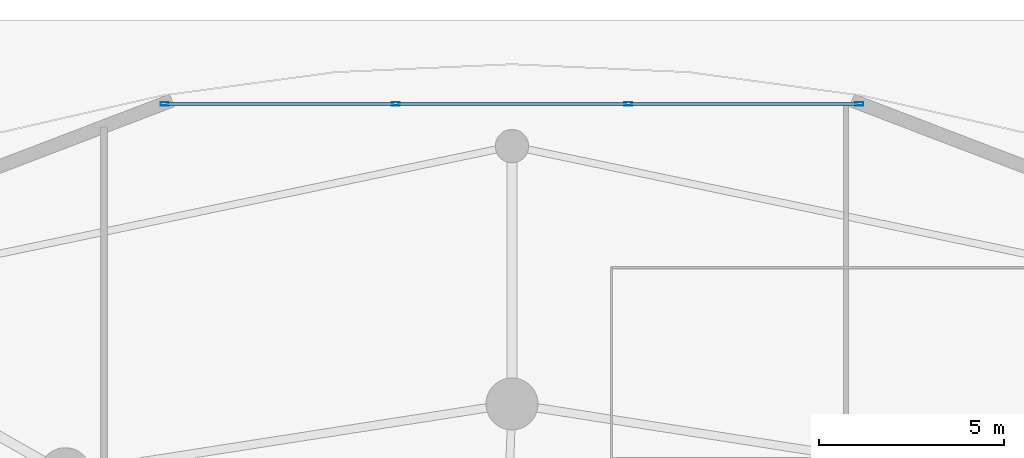
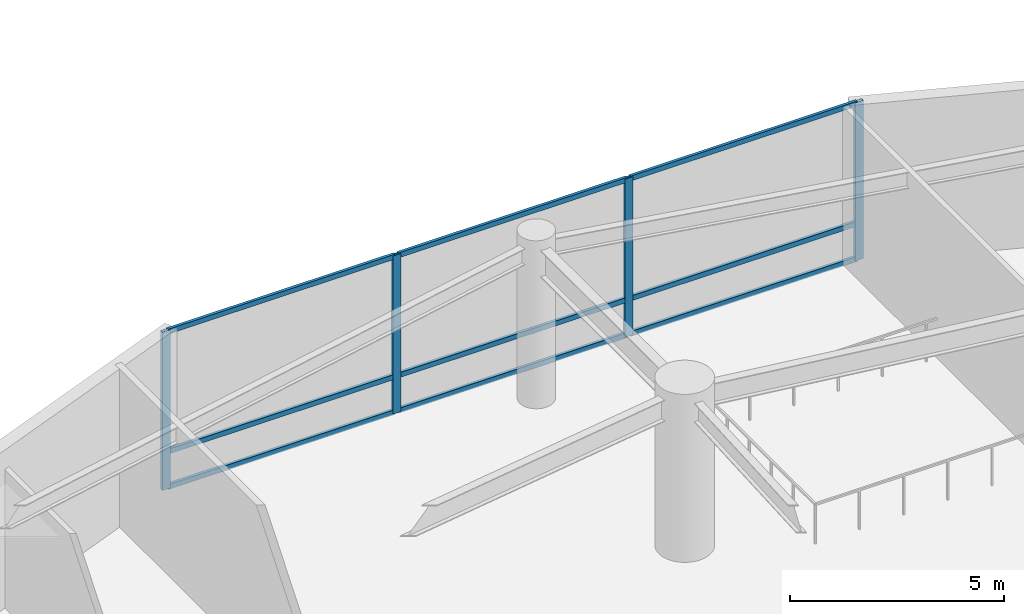
# One storey, part 18 of 35: 13 members, 1 element without a shape of its own.
"""IFC4 building model written with IfcOpenShell, lengths in metres."""

from ifc_helpers import new_model, si_unit, direction, frame, origin, origin_2d, place, context, subcontext, project, spatial, hollow_rectangle, extrude, material, layer, layer_set, material_profile, profile_set, type_object, element, aggregate, save


model = new_model("IFC4")

# Units and contexts
model_context = context("Model", 3, precision=1e-05, world=origin(), true_north=direction((0.0, 1.0)))
body_context = subcontext(model_context, "Body", "Model", "MODEL_VIEW")
ifc_project = project(units=[si_unit("LENGTHUNIT", "METRE"), si_unit("AREAUNIT", "SQUARE_METRE"), si_unit("VOLUMEUNIT", "CUBIC_METRE"), si_unit("PLANEANGLEUNIT", "RADIAN"), si_unit("MASSUNIT", "GRAM", prefix="KILO")], contexts=[model_context])

# Site, building, storey
site_placement = place(None, origin())
site = spatial("IfcSite", under=ifc_project, at=site_placement, CompositionType="ELEMENT")
building_placement = place(site_placement, origin())
building = spatial("IfcBuilding", under=site, at=building_placement, Name="Kazevale Care Tower and Concert Hall", CompositionType="ELEMENT")
storey_placement = place(building_placement, origin())
storey = spatial("IfcBuildingStorey", under=building, at=storey_placement, Name="L00", CompositionType="ELEMENT", Elevation=0.0)

# Curtain wall, members
ifc_material_1 = material(Name="Aluminium 6063-T6 and Low-E Glass", Category="aluminium")
ifc_layer = layer(ifc_material_1, 0.179931640625)
ifc_layer_set = layer_set([ifc_layer], Name="Aluminium 6063-T6 and Low-E Glass")
curtain_wall_type = type_object("IfcCurtainWallType", Name="Podium Double-Skin Medical Curtain Wall CW-1", PredefinedType="NOTDEFINED", material=ifc_layer_set)
curtain_wall_placement = place(storey_placement, origin())
curtain_wall = element("IfcCurtainWall", 1, at=curtain_wall_placement, inside=storey, type_object=curtain_wall_type, Name="cw:L00:pod:04", PredefinedType="NOTDEFINED")
ifc_material_2 = material(Name="Aluminium 6063-T6", Category="aluminium")
ifc_material_profile_1 = material_profile(ifc_material_2, hollow_rectangle(XDim=0.090087890625, YDim=0.219970703125, WallThickness=0.0048828125, at=origin_2d()), Name="ALU90x220x5")
ifc_profile_set_1 = profile_set([ifc_material_profile_1], Name="Aluminium 6063-T6")
member_type_1 = type_object("IfcMemberType", Name="CW-1 Mullion ALU90x220x5", PredefinedType="MULLION", material=ifc_profile_set_1)
member_1_placement = place(storey_placement, frame((54.363037109375, 70.738037109375, 0.0), z_axis=(0.0, 0.0, 1.0), x_axis=(0.0, -1.0, 0.0)))
member_1 = element("IfcMember", 2, at=member_1_placement, type_object=member_type_1, Name="CW-1 mullion 1", PredefinedType="MULLION", context=body_context, shape_type="SweptSolid", body=[
    extrude(hollow_rectangle(XDim=0.090087890625, YDim=0.219970703125, WallThickness=0.0048828125, at=origin_2d()), origin(), (0.0, 0.0, 1.0), 4.52001953125),
])
member_2_placement = place(storey_placement, frame((48.135986328125, 70.738037109375, 0.0), z_axis=(0.0, 0.0, 1.0), x_axis=(0.0, -1.0, 0.0)))
member_2 = element("IfcMember", 3, at=member_2_placement, type_object=member_type_1, Name="CW-1 mullion 2", PredefinedType="MULLION", context=body_context, shape_type="SweptSolid", body=[
    extrude(hollow_rectangle(XDim=0.090087890625, YDim=0.219970703125, WallThickness=0.0048828125, at=origin_2d()), origin(), (0.0, 0.0, 1.0), 4.52001953125),
])
member_3_placement = place(storey_placement, frame((41.864013671875, 70.738037109375, 0.0), z_axis=(0.0, 0.0, 1.0), x_axis=(0.0, -1.0, 0.0)))
member_3 = element("IfcMember", 4, at=member_3_placement, type_object=member_type_1, Name="CW-1 mullion 3", PredefinedType="MULLION", context=body_context, shape_type="SweptSolid", body=[
    extrude(hollow_rectangle(XDim=0.090087890625, YDim=0.219970703125, WallThickness=0.0048828125, at=origin_2d()), origin(), (0.0, 0.0, 1.0), 4.52001953125),
])
member_4_placement = place(storey_placement, frame((35.636962890625, 70.738037109375, 0.0), z_axis=(0.0, 0.0, 1.0), x_axis=(0.0, -1.0, 0.0)))
member_4 = element("IfcMember", 5, at=member_4_placement, type_object=member_type_1, Name="CW-1 mullion 4", PredefinedType="MULLION", context=body_context, shape_type="SweptSolid", body=[
    extrude(hollow_rectangle(XDim=0.090087890625, YDim=0.219970703125, WallThickness=0.0048828125, at=origin_2d()), origin(), (0.0, 0.0, 1.0), 4.52001953125),
])
ifc_material_profile_2 = material_profile(ifc_material_2, hollow_rectangle(XDim=0.080078125, YDim=0.139892578125, WallThickness=0.00390625, at=origin_2d()), Name="ALU80x140x4")
ifc_profile_set_2 = profile_set([ifc_material_profile_2], Name="Aluminium 6063-T6")
member_type_2 = type_object("IfcMemberType", Name="CW-1 Transom ALU80x140x4", PredefinedType="USERDEFINED", material=ifc_profile_set_2)
member_5_placement = place(storey_placement, frame((54.318115234375, 70.738037109375, 0.0400390625), z_axis=(-1.0, 0.0, 0.0), x_axis=(0.0, -1.0, 0.0)))
member_5 = element("IfcMember", 6, at=member_5_placement, type_object=member_type_2, Name="CW-1 transom 1.1", ObjectType="TRANSOM", PredefinedType="USERDEFINED", context=body_context, shape_type="SweptSolid", body=[
    extrude(hollow_rectangle(XDim=0.080078125, YDim=0.139892578125, WallThickness=0.00390625, at=origin_2d()), origin(), (0.0, 0.0, 1.0), 6.13720703125),
])
member_6_placement = place(storey_placement, frame((54.318115234375, 70.738037109375, 1.050048828125), z_axis=(-1.0, 0.0, 0.0), x_axis=(0.0, -1.0, 0.0)))
member_6 = element("IfcMember", 7, at=member_6_placement, type_object=member_type_2, Name="CW-1 transom 1.2", ObjectType="TRANSOM", PredefinedType="USERDEFINED", context=body_context, shape_type="SweptSolid", body=[
    extrude(hollow_rectangle(XDim=0.080078125, YDim=0.139892578125, WallThickness=0.00390625, at=origin_2d()), origin(), (0.0, 0.0, 1.0), 6.13720703125),
])
member_7_placement = place(storey_placement, frame((54.318115234375, 70.738037109375, 4.47998046875), z_axis=(-1.0, 0.0, 0.0), x_axis=(0.0, -1.0, 0.0)))
member_7 = element("IfcMember", 8, at=member_7_placement, type_object=member_type_2, Name="CW-1 transom 1.3", ObjectType="TRANSOM", PredefinedType="USERDEFINED", context=body_context, shape_type="SweptSolid", body=[
    extrude(hollow_rectangle(XDim=0.080078125, YDim=0.139892578125, WallThickness=0.00390625, at=origin_2d()), origin(), (0.0, 0.0, 1.0), 6.13720703125),
])
member_8_placement = place(storey_placement, frame((48.091064453125, 70.738037109375, 0.0400390625), z_axis=(-1.0, 0.0, 0.0), x_axis=(0.0, -1.0, 0.0)))
member_8 = element("IfcMember", 9, at=member_8_placement, type_object=member_type_2, Name="CW-1 transom 2.1", ObjectType="TRANSOM", PredefinedType="USERDEFINED", context=body_context, shape_type="SweptSolid", body=[
    extrude(hollow_rectangle(XDim=0.080078125, YDim=0.139892578125, WallThickness=0.00390625, at=origin_2d()), origin(), (0.0, 0.0, 1.0), 6.18212890625),
])
member_9_placement = place(storey_placement, frame((48.091064453125, 70.738037109375, 1.050048828125), z_axis=(-1.0, 0.0, 0.0), x_axis=(0.0, -1.0, 0.0)))
member_9 = element("IfcMember", 10, at=member_9_placement, type_object=member_type_2, Name="CW-1 transom 2.2", ObjectType="TRANSOM", PredefinedType="USERDEFINED", context=body_context, shape_type="SweptSolid", body=[
    extrude(hollow_rectangle(XDim=0.080078125, YDim=0.139892578125, WallThickness=0.00390625, at=origin_2d()), origin(), (0.0, 0.0, 1.0), 6.18212890625),
])
member_10_placement = place(storey_placement, frame((48.091064453125, 70.738037109375, 4.47998046875), z_axis=(-1.0, 0.0, 0.0), x_axis=(0.0, -1.0, 0.0)))
member_10 = element("IfcMember", 11, at=member_10_placement, type_object=member_type_2, Name="CW-1 transom 2.3", ObjectType="TRANSOM", PredefinedType="USERDEFINED", context=body_context, shape_type="SweptSolid", body=[
    extrude(hollow_rectangle(XDim=0.080078125, YDim=0.139892578125, WallThickness=0.00390625, at=origin_2d()), origin(), (0.0, 0.0, 1.0), 6.18212890625),
])
member_11_placement = place(storey_placement, frame((41.819091796875, 70.738037109375, 0.0400390625), z_axis=(-1.0, 0.0, 0.0), x_axis=(0.0, -1.0, 0.0)))
member_11 = element("IfcMember", 12, at=member_11_placement, type_object=member_type_2, Name="CW-1 transom 3.1", ObjectType="TRANSOM", PredefinedType="USERDEFINED", context=body_context, shape_type="SweptSolid", body=[
    extrude(hollow_rectangle(XDim=0.080078125, YDim=0.139892578125, WallThickness=0.00390625, at=origin_2d()), origin(), (0.0, 0.0, 1.0), 6.13720703125),
])
member_12_placement = place(storey_placement, frame((41.819091796875, 70.738037109375, 1.050048828125), z_axis=(-1.0, 0.0, 0.0), x_axis=(0.0, -1.0, 0.0)))
member_12 = element("IfcMember", 13, at=member_12_placement, type_object=member_type_2, Name="CW-1 transom 3.2", ObjectType="TRANSOM", PredefinedType="USERDEFINED", context=body_context, shape_type="SweptSolid", body=[
    extrude(hollow_rectangle(XDim=0.080078125, YDim=0.139892578125, WallThickness=0.00390625, at=origin_2d()), origin(), (0.0, 0.0, 1.0), 6.13720703125),
])
member_13_placement = place(storey_placement, frame((41.819091796875, 70.738037109375, 4.47998046875), z_axis=(-1.0, 0.0, 0.0), x_axis=(0.0, -1.0, 0.0)))
member_13 = element("IfcMember", 14, at=member_13_placement, type_object=member_type_2, Name="CW-1 transom 3.3", ObjectType="TRANSOM", PredefinedType="USERDEFINED", context=body_context, shape_type="SweptSolid", body=[
    extrude(hollow_rectangle(XDim=0.080078125, YDim=0.139892578125, WallThickness=0.00390625, at=origin_2d()), origin(), (0.0, 0.0, 1.0), 6.13720703125),
])
aggregate(curtain_wall, [member_1, member_2, member_3, member_4, member_5, member_6, member_7, member_8, member_9, member_10, member_11, member_12, member_13])

save(model, "model.ifc")
